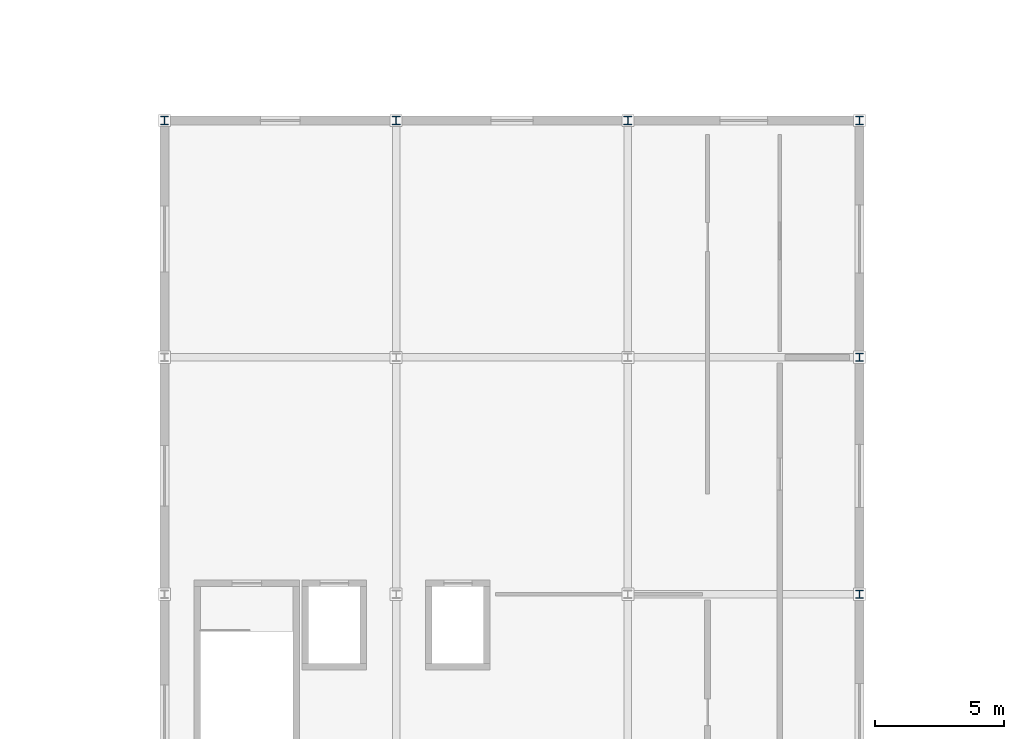
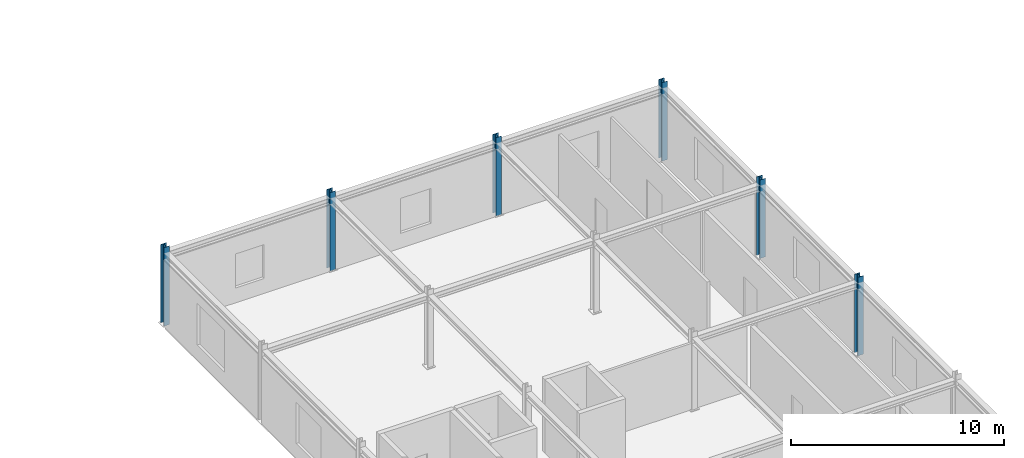
# One storey, part 3 of 33: 6 columns.
"""IFC4 building model written with IfcOpenShell, lengths in metres."""

from ifc_helpers import new_model, si_unit, direction, frame, origin, origin_2d, place, context, subcontext, project, spatial, i_section, extrude, material, material_profile, profile_set, type_object, element, save


model = new_model("IFC4")

# Units and contexts
model_context = context("Model", 3, precision=1e-05, world=origin(), true_north=direction((0.0, 1.0)))
body_context = subcontext(model_context, "Body", "Model", "MODEL_VIEW")
ifc_project = project(units=[si_unit("LENGTHUNIT", "METRE"), si_unit("AREAUNIT", "SQUARE_METRE"), si_unit("VOLUMEUNIT", "CUBIC_METRE"), si_unit("PLANEANGLEUNIT", "RADIAN"), si_unit("MASSUNIT", "GRAM", prefix="KILO")], contexts=[model_context])

# Site, building, storey
site_placement = place(None, origin())
site = spatial("IfcSite", under=ifc_project, at=site_placement, CompositionType="ELEMENT")
building_placement = place(site_placement, origin())
building = spatial("IfcBuilding", under=site, at=building_placement, Name="Bozkorgan Art Gallery", CompositionType="ELEMENT")
storey_placement = place(building_placement, frame((0.0, 0.0, 19.5)))
storey = spatial("IfcBuildingStorey", under=building, at=storey_placement, Name="L04", CompositionType="ELEMENT", Elevation=19.5)

# Columns
ifc_material = material(Name="Steel S355J2", Category="steel")
ifc_material_profile = material_profile(ifc_material, i_section(OverallWidth=0.300048828125, OverallDepth=0.320068359375, WebThickness=0.011474609375, FlangeThickness=0.0205078125, FilletRadius=0.027099609375, at=origin_2d()), Name="HEB 320")
ifc_profile_set = profile_set([ifc_material_profile], Name="Steel S355J2")
column_type = type_object("IfcColumnType", Name="COLUMN-C-96", PredefinedType="COLUMN", material=ifc_profile_set)
for number, where, z_axis, x_axis, name in (
    (1, (74.0, 84.39990234375, 0.0), (0.0, 0.0, 1.0), (1.0, 0.0, 0.0), "V4 L04 column (74.0, 84.4)"),
    (2, (83.0, 84.39990234375, 0.0), (0.0, 0.0, 1.0), (1.0, 0.0, 0.0), "V4 L04 column (83.0, 84.4)"),
    (3, (92.0, 84.39990234375, 0.0), (0.0, 0.0, 1.0), (1.0, 0.0, 0.0), "V4 L04 column (92.0, 84.4)"),
    (4, (101.0, 66.0, 0.0), (0.0, 0.0, 1.0), (1.0, 0.0, 0.0), "V4 L04 column (101.0, 66.0)"),
    (5, (101.0, 75.199951171875, 0.0), (0.0, 0.0, 1.0), (1.0, 0.0, 0.0), "V4 L04 column (101.0, 75.2)"),
    (6, (101.0, 84.39990234375, 0.0), (0.0, 0.0, 1.0), (1.0, 0.0, 0.0), "V4 L04 column (101.0, 84.4)"),
):
    element("IfcColumn", number, at=place(storey_placement, frame(where, z_axis=z_axis, x_axis=x_axis)), inside=storey, type_object=column_type, Name=name, PredefinedType="COLUMN", context=body_context, shape_type="SweptSolid", body=[
        extrude(i_section(OverallWidth=0.300048828125, OverallDepth=0.320068359375, WebThickness=0.011474609375, FlangeThickness=0.0205078125, FilletRadius=0.027099609375, at=origin_2d()), origin(), (0.0, 0.0, 1.0), 4.5),
    ])

save(model, "model.ifc")
